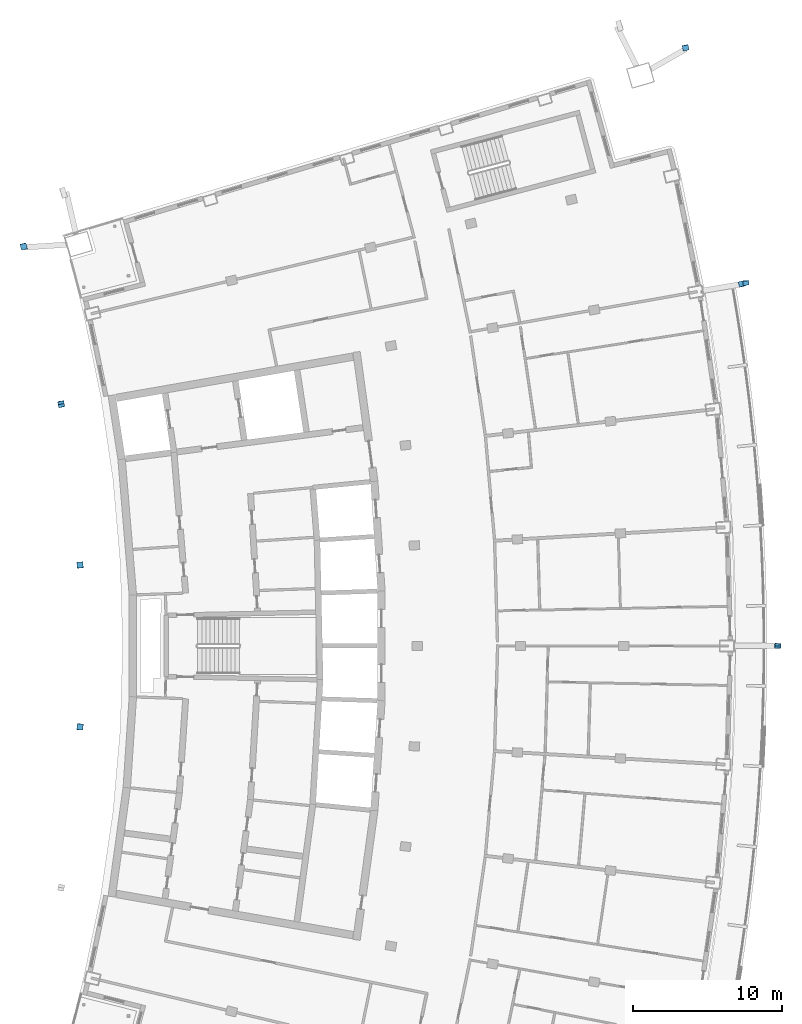
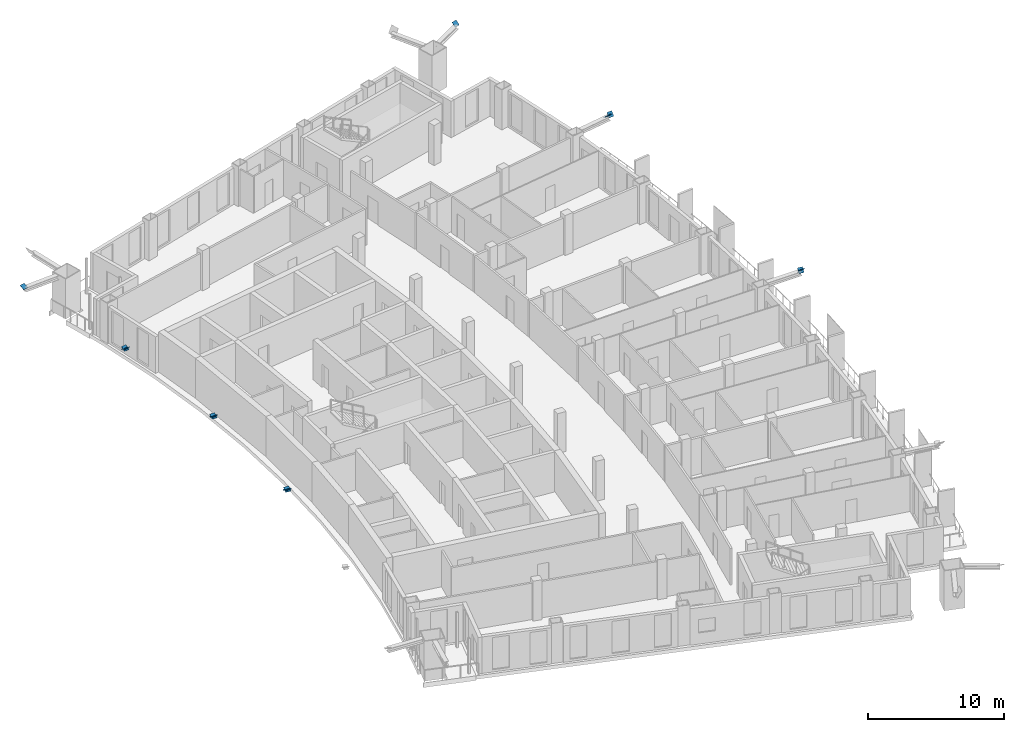
# One storey, part 17 of 20: 12 discrete accessories.
"""IFC4 building model written with IfcOpenShell, lengths in metres."""

from ifc_helpers import new_model, si_unit, direction, frame, origin, origin_2d, place, context, subcontext, project, spatial, rectangle, extrude, material, material_profile, profile_set, type_object, element, save


model = new_model("IFC4")

# Units and contexts
model_context = context("Model", 3, precision=1e-05, world=origin(), true_north=direction((0.0, 1.0)))
body_context = subcontext(model_context, "Body", "Model", "MODEL_VIEW")
ifc_project = project(units=[si_unit("LENGTHUNIT", "METRE"), si_unit("AREAUNIT", "SQUARE_METRE"), si_unit("VOLUMEUNIT", "CUBIC_METRE"), si_unit("PLANEANGLEUNIT", "RADIAN"), si_unit("MASSUNIT", "GRAM", prefix="KILO")], contexts=[model_context])

# Site, building, storey
site_placement = place(None, origin())
site = spatial("IfcSite", under=ifc_project, at=site_placement, CompositionType="ELEMENT")
building_placement = place(site_placement, origin())
building = spatial("IfcBuilding", under=site, at=building_placement, Name="Alderwake Tower", CompositionType="ELEMENT")
storey_placement = place(building_placement, frame((0.0, 0.0, 263.60009765625)))
storey = spatial("IfcBuildingStorey", under=building, at=storey_placement, Name="L65", CompositionType="ELEMENT", Elevation=263.60009765625)

# Discrete accessories
ifc_material = material(Name="Steel ASTM A572 Grade 50", Category="steel")
ifc_material_profile = material_profile(ifc_material, rectangle(XDim=0.41552734375, YDim=0.445556640625, at=origin_2d()), Name="W14X342 cap")
ifc_profile_set = profile_set([ifc_material_profile], Name="Steel ASTM A572 Grade 50")
discrete_accessory_type = type_object("IfcDiscreteAccessoryType", Name="End cap plate W14X342", PredefinedType="USERDEFINED", material=ifc_profile_set)
for number, where, z_axis, x_axis, name in (
    (1, (60.023681640625, 61.0, 3.599853515625), (0.07322641444, 0.748536680943, -0.65903772996), (-0.995249100669, 0.097361325065, 0.0), "End cap BRF5.2.4B1 S"),
    (2, (60.023681640625, 61.0, 3.599853515625), (0.07322641444, -0.748536680943, -0.65903772996), (0.995249100669, 0.097361325065, 0.0), "End cap BRF5.2.7A S"),
):
    element("IfcDiscreteAccessory", number, at=place(storey_placement, frame(where, z_axis=z_axis, x_axis=x_axis)), inside=storey, type_object=discrete_accessory_type, Name=name, ObjectType="END CAP", PredefinedType="USERDEFINED", context=body_context, shape_type="SweptSolid", body=[
        extrude(rectangle(XDim=0.41552734375, YDim=0.445556640625, at=origin_2d()), origin(), (0.0, 0.0, 1.0), 0.030029296875),
    ])
discrete_accessory_placement = place(storey_placement, frame((57.885009765625, 85.37939453125, 3.599853515625), z_axis=(-0.057363561619, 0.745726301045, -0.663778355875), x_axis=(-0.997054485502, -0.076696498885, 0.0)))
element("IfcDiscreteAccessory", 3, at=discrete_accessory_placement, inside=storey, type_object=discrete_accessory_type, Name="End cap BRF5.2.7B1 S", ObjectType="END CAP", PredefinedType="USERDEFINED", context=body_context, shape_type="SweptSolid", body=[
    extrude(rectangle(XDim=0.41552734375, YDim=0.445556640625, at=origin_2d()), origin(), (0.0, 0.0, 1.0), 0.02978515625),
])
for number, where, z_axis, x_axis, name in (
    (4, (57.598388671875, 85.32861328125, 3.599853515625), (0.154369542892, -0.584979320433, -0.796221852811), (0.966900358349, 0.255154261231, 0.0), "End cap BRF5.2.10A S"),
    (5, (53.831298828125, 101.179931640625, 3.599853515625), (-0.121834506274, 0.592927930535, -0.795985440993), (-0.979534918634, -0.20127429835, 0.0), "End cap BRF5.2.10B1 S"),
    (6, (13.141357421875, 55.560546875, 3.599853515625), (0.048728980643, 0.446682322562, -0.893364645123), (-0.994102176608, 0.108447510175, 0.0), "End cap BRR5.2.4B1 S"),
    (7, (13.141357421875, 55.560546875, 3.599853515625), (0.0, -0.4472135955, -0.894427191), (1.0, 0.0, 0.0), "End cap BRR5.2.6A S"),
    (8, (13.141357421875, 66.439453125, 3.599853515625), (0.0, 0.4472135955, -0.894427191), (-1.0, 0.0, 0.0), "End cap BRR5.2.6B1 S"),
    (9, (13.141357421875, 66.439453125, 3.599853515625), (0.048728980643, -0.446682322562, -0.893364645123), (0.994102176608, 0.108447510175, 0.0), "End cap BRR5.2.8A S"),
    (10, (11.875, 77.244384765625, 3.599853515625), (-0.056826119483, 0.446490938798, -0.892981877596), (-0.991997911724, -0.126254279674, 0.0), "End cap BRR5.2.8B1 S"),
    (11, (11.875, 77.244384765625, 3.599853515625), (0.105495990526, -0.438214114494, -0.892658381376), (0.972223637158, 0.234053838575, 0.0), "End cap BRR5.2.10A S"),
    (12, (9.359619140625, 87.828369140625, 3.599853515625), (-0.105869651339, 0.43162242469, -0.895820126716), (-0.971210844098, -0.238221527798, 0.0), "End cap BRR5.2.10B1 S"),
):
    element("IfcDiscreteAccessory", number, at=place(storey_placement, frame(where, z_axis=z_axis, x_axis=x_axis)), inside=storey, type_object=discrete_accessory_type, Name=name, ObjectType="END CAP", PredefinedType="USERDEFINED", context=body_context, shape_type="SweptSolid", body=[
        extrude(rectangle(XDim=0.41552734375, YDim=0.445556640625, at=origin_2d()), origin(), (0.0, 0.0, 1.0), 0.030029296875),
    ])

save(model, "model.ifc")
